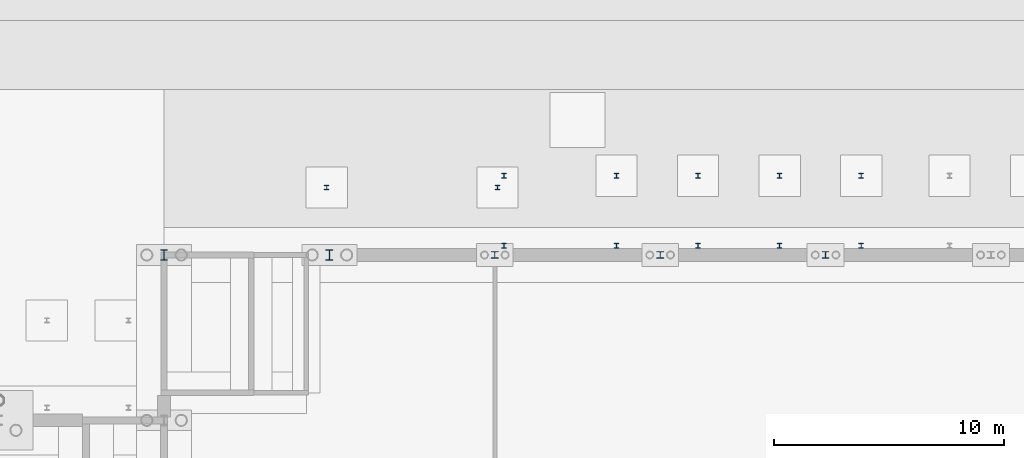
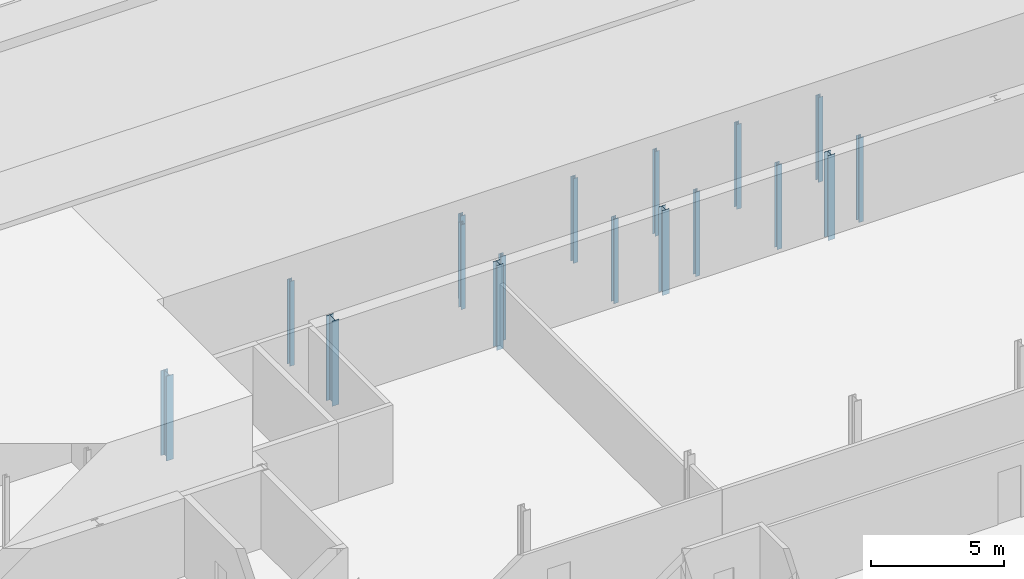
# One storey, part 66 of 148: 17 columns.
"""IFC4 building model written with IfcOpenShell, lengths in metres."""

from ifc_helpers import new_model, si_unit, direction, frame, origin, origin_2d, place, context, subcontext, project, spatial, i_section, extrude, material, material_profile, profile_set, type_object, element, save


model = new_model("IFC4")

# Units and contexts
model_context = context("Model", 3, precision=1e-05, world=origin(), true_north=direction((0.0, 1.0)))
body_context = subcontext(model_context, "Body", "Model", "MODEL_VIEW")
ifc_project = project(units=[si_unit("LENGTHUNIT", "METRE"), si_unit("AREAUNIT", "SQUARE_METRE"), si_unit("VOLUMEUNIT", "CUBIC_METRE"), si_unit("PLANEANGLEUNIT", "RADIAN"), si_unit("MASSUNIT", "GRAM", prefix="KILO")], contexts=[model_context])

# Site, building, storey
site_placement = place(None, origin())
site = spatial("IfcSite", under=ifc_project, at=site_placement, CompositionType="ELEMENT")
building_placement = place(site_placement, origin())
building = spatial("IfcBuilding", under=site, at=building_placement, Name="Kupolbacken Congress Centre", CompositionType="ELEMENT")
storey_placement = place(building_placement, origin())
storey = spatial("IfcBuildingStorey", under=building, at=storey_placement, Name="L00", CompositionType="ELEMENT", Elevation=0.0)

# Columns
ifc_material_1 = material(Name="Steel S355", Category="steel")
ifc_material_profile_1 = material_profile(ifc_material_1, i_section(OverallWidth=0.300048828125, OverallDepth=0.449951171875, WebThickness=0.013916015625, FlangeThickness=0.02587890625, FilletRadius=0.027099609375, at=origin_2d()), Name="HEB 450")
ifc_profile_set_1 = profile_set([ifc_material_profile_1], Name="Steel S355")
column_type_1 = type_object("IfcColumnType", Name="C03 column HEB 450", PredefinedType="COLUMN", material=ifc_profile_set_1)
for number, where, z_axis, x_axis, name in (
    (1, (136.800048828125, 151.199951171875, -0.300048828125), (0.0, 0.0, 1.0), (1.0, 0.0, 0.0), "S/col/C-BF-20X/L00"),
    (2, (144.0, 151.199951171875, -0.300048828125), (0.0, 0.0, 1.0), (1.0, 0.0, 0.0), "S/col/C-BF-21X/L00"),
):
    element("IfcColumn", number, at=place(storey_placement, frame(where, z_axis=z_axis, x_axis=x_axis)), inside=storey, type_object=column_type_1, Name=name, PredefinedType="COLUMN", context=body_context, shape_type="SweptSolid", body=[
        extrude(i_section(OverallWidth=0.300048828125, OverallDepth=0.449951171875, WebThickness=0.013916015625, FlangeThickness=0.02587890625, FilletRadius=0.027099609375, at=origin_2d()), origin(), (0.0, 0.0, 1.0), 3.900146484375),
    ])
ifc_material_2 = material(Name="Steel S355", Category="steel")
ifc_material_profile_2 = material_profile(ifc_material_2, i_section(OverallWidth=0.300048828125, OverallDepth=0.300048828125, WebThickness=0.010986328125, FlangeThickness=0.01904296875, FilletRadius=0.027099609375, at=origin_2d()), Name="HEB 300")
ifc_profile_set_2 = profile_set([ifc_material_profile_2], Name="Steel S355")
column_type_2 = type_object("IfcColumnType", Name="C06 column HEB 300", PredefinedType="COLUMN", material=ifc_profile_set_2)
for number, where, z_axis, x_axis, name in (
    (3, (151.199951171875, 151.199951171875, -0.300048828125), (0.0, 0.0, 1.0), (1.0, 0.0, 0.0), "S/col/C-B-B1N/L00"),
    (4, (158.39990234375, 151.199951171875, -0.300048828125), (0.0, 0.0, 1.0), (1.0, 0.0, 0.0), "S/col/C-B-B2N/L00"),
    (5, (165.60009765625, 151.199951171875, -0.300048828125), (0.0, 0.0, 1.0), (1.0, 0.0, 0.0), "S/col/C-B-B3N/L00"),
):
    element("IfcColumn", number, at=place(storey_placement, frame(where, z_axis=z_axis, x_axis=x_axis)), inside=storey, type_object=column_type_2, Name=name, PredefinedType="COLUMN", context=body_context, shape_type="SweptSolid", body=[
        extrude(i_section(OverallWidth=0.300048828125, OverallDepth=0.300048828125, WebThickness=0.010986328125, FlangeThickness=0.01904296875, FilletRadius=0.027099609375, at=origin_2d()), origin(), (0.0, 0.0, 1.0), 3.900146484375),
    ])
ifc_material_3 = material(Name="Steel S355", Category="steel")
ifc_material_profile_3 = material_profile(ifc_material_3, i_section(OverallWidth=0.199951171875, OverallDepth=0.199951171875, WebThickness=0.009033203125, FlangeThickness=0.014892578125, FilletRadius=0.01806640625, at=origin_2d()), Name="HEB 200")
ifc_profile_set_3 = profile_set([ifc_material_profile_3], Name="Steel S355")
column_type_3 = type_object("IfcColumnType", Name="C11 column HEB 200", PredefinedType="COLUMN", material=ifc_profile_set_3)
for number, where, z_axis, x_axis, name in (
    (6, (151.320068359375, 154.139892578125, -0.300048828125), (0.0, 0.0, 1.0), (1.0, 0.0, 0.0), "E/canopy/BN1/col1/L00"),
    (7, (143.8798828125, 154.139892578125, -0.300048828125), (0.0, 0.0, 1.0), (1.0, 0.0, 0.0), "E/canopy/BN1/col2/L00"),
    (8, (151.60009765625, 151.60009765625, -0.300048828125), (0.0, 0.0, 1.0), (1.0, 0.0, 0.0), "Covered passage column"),
    (9, (151.60009765625, 154.64990234375, -0.300048828125), (0.0, 0.0, 1.0), (1.0, 0.0, 0.0), "Covered passage column"),
    (10, (156.5, 151.60009765625, -0.300048828125), (0.0, 0.0, 1.0), (1.0, 0.0, 0.0), "Covered passage column"),
    (11, (156.5, 154.64990234375, -0.300048828125), (0.0, 0.0, 1.0), (1.0, 0.0, 0.0), "Covered passage column"),
    (12, (160.050048828125, 151.60009765625, -0.300048828125), (0.0, 0.0, 1.0), (1.0, 0.0, 0.0), "Covered passage column"),
    (13, (160.050048828125, 154.64990234375, -0.300048828125), (0.0, 0.0, 1.0), (1.0, 0.0, 0.0), "Covered passage column"),
    (14, (163.60009765625, 151.60009765625, -0.300048828125), (0.0, 0.0, 1.0), (1.0, 0.0, 0.0), "Covered passage column"),
    (15, (163.60009765625, 154.64990234375, -0.300048828125), (0.0, 0.0, 1.0), (1.0, 0.0, 0.0), "Covered passage column"),
    (16, (167.14990234375, 151.60009765625, -0.300048828125), (0.0, 0.0, 1.0), (1.0, 0.0, 0.0), "Covered passage column"),
    (17, (167.14990234375, 154.64990234375, -0.300048828125), (0.0, 0.0, 1.0), (1.0, 0.0, 0.0), "Covered passage column"),
):
    element("IfcColumn", number, at=place(storey_placement, frame(where, z_axis=z_axis, x_axis=x_axis)), inside=storey, type_object=column_type_3, Name=name, PredefinedType="COLUMN", context=body_context, shape_type="SweptSolid", body=[
        extrude(i_section(OverallWidth=0.199951171875, OverallDepth=0.199951171875, WebThickness=0.009033203125, FlangeThickness=0.014892578125, FilletRadius=0.01806640625, at=origin_2d()), origin(), (0.0, 0.0, 1.0), 3.900146484375),
    ])

save(model, "model.ifc")
